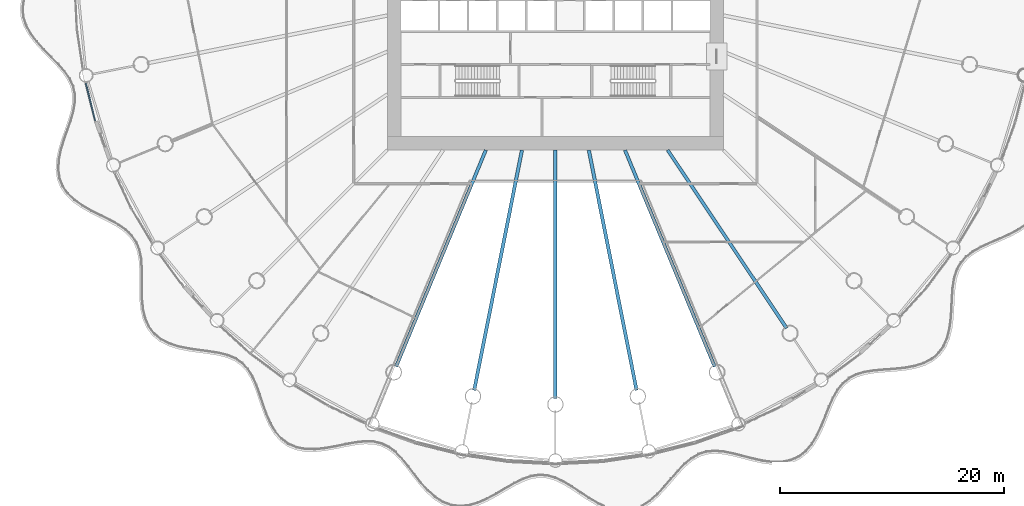
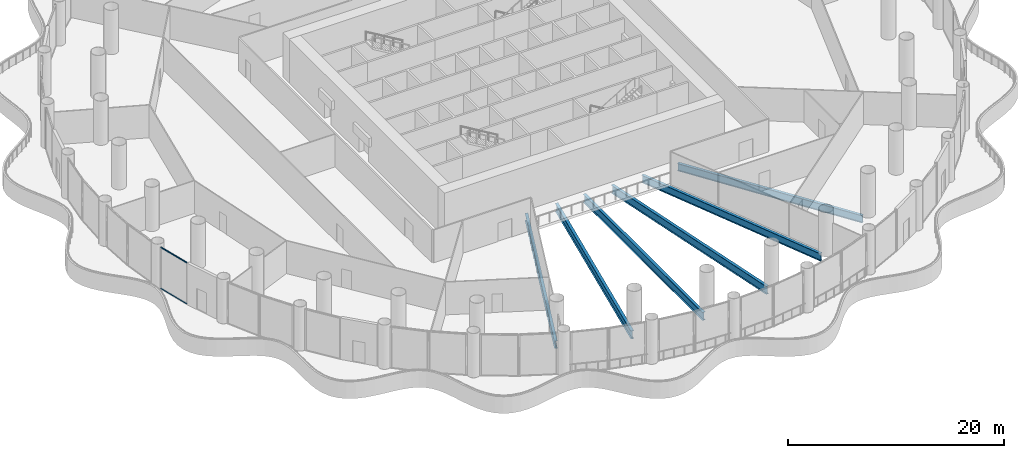
# One storey, part 6 of 36: 6 beams, 2 members, 1 element without a shape of its own.
"""IFC4 building model written with IfcOpenShell, lengths in metres."""

from ifc_helpers import new_model, si_unit, direction, frame, origin, origin_2d, place, context, subcontext, project, spatial, rectangle, i_section, extrude, material, material_profile, profile_set, type_object, element, aggregate, save


model = new_model("IFC4")

# Units and contexts
model_context = context("Model", 3, precision=1e-05, world=origin(), true_north=direction((0.0, 1.0)))
body_context = subcontext(model_context, "Body", "Model", "MODEL_VIEW")
ifc_project = project(units=[si_unit("LENGTHUNIT", "METRE"), si_unit("AREAUNIT", "SQUARE_METRE"), si_unit("VOLUMEUNIT", "CUBIC_METRE"), si_unit("PLANEANGLEUNIT", "RADIAN"), si_unit("MASSUNIT", "GRAM", prefix="KILO")], contexts=[model_context])

# Site, building, storey
site_placement = place(None, origin())
site = spatial("IfcSite", under=ifc_project, at=site_placement, CompositionType="ELEMENT")
building_placement = place(site_placement, origin())
building = spatial("IfcBuilding", under=site, at=building_placement, Name="Corvane Civic Tower", CompositionType="ELEMENT")
storey_placement = place(building_placement, frame((0.0, 0.0, 17.0)))
storey = spatial("IfcBuildingStorey", under=building, at=storey_placement, Name="L03", CompositionType="ELEMENT", Elevation=17.0)

# Beams
ifc_material_1 = material(Name="Steel ASTM A992 Gr 50", Category="steel")
ifc_material_profile_1 = material_profile(ifc_material_1, i_section(OverallWidth=0.2919921875, OverallDepth=0.845703125, WebThickness=0.015380859375, FlangeThickness=0.0244140625, at=origin_2d()), Name="W33X141")
ifc_profile_set_1 = profile_set([ifc_material_profile_1], Name="Steel ASTM A992 Gr 50")
beam_type_1 = type_object("IfcBeamType", Name="FLOOR GIRDER W33X141", PredefinedType="BEAM", material=ifc_profile_set_1)
beam_1_placement = place(storey_placement, frame((10.022705078125, -15.0, -0.722900390625), z_axis=(0.555566681385, -0.831471985418, 0.0), x_axis=(0.831471985418, 0.555566681385, 0.0)))
element("IfcBeam", 1, at=beam_1_placement, inside=storey, type_object=beam_type_1, Name="BM-L03-G14", PredefinedType="BEAM", context=body_context, shape_type="SweptSolid", body=[
    extrude(i_section(OverallWidth=0.2919921875, OverallDepth=0.845703125, WebThickness=0.015380859375, FlangeThickness=0.0244140625, at=origin_2d()), origin(), (0.0, 0.0, 1.0), 19.109619140625),
])
for number, where, z_axis, x_axis, name in (
    (2, (6.213134765625, -15.0, -0.722900390625), (0.382692360381, -0.923875834355, 0.0), (0.923875834355, 0.382692360381, 0.0), "BM-L03-G15"),
    (3, (-6.213134765625, -15.0, -0.722900390625), (-0.382692360381, -0.923875834355, 0.0), (0.923875834355, -0.382692360381, 0.0), "BM-L03-G19"),
):
    element("IfcBeam", number, at=place(storey_placement, frame(where, z_axis=z_axis, x_axis=x_axis)), inside=storey, type_object=beam_type_1, Name=name, PredefinedType="BEAM", context=body_context, shape_type="SweptSolid", body=[
        extrude(i_section(OverallWidth=0.2919921875, OverallDepth=0.845703125, WebThickness=0.015380859375, FlangeThickness=0.0244140625, at=origin_2d()), origin(), (0.0, 0.0, 1.0), 20.9140625),
    ])
ifc_material_2 = material(Name="Steel ASTM A992 Gr 50", Category="steel")
ifc_material_profile_2 = material_profile(ifc_material_2, i_section(OverallWidth=0.3046875, OverallDepth=0.911865234375, WebThickness=0.015869140625, FlangeThickness=0.02392578125, at=origin_2d()), Name="W36X150")
ifc_profile_set_2 = profile_set([ifc_material_profile_2], Name="Steel ASTM A992 Gr 50")
beam_type_2 = type_object("IfcBeamType", Name="FLOOR GIRDER W36X150", PredefinedType="BEAM", material=ifc_profile_set_2)
beam_2_placement = place(storey_placement, frame((2.983642578125, -15.0, -0.755859375), z_axis=(0.195089219638, -0.980785499679, 0.0), x_axis=(0.980785499679, 0.195089219638, 0.0)))
element("IfcBeam", 4, at=beam_2_placement, inside=storey, type_object=beam_type_2, Name="BM-L03-G16", PredefinedType="BEAM", context=body_context, shape_type="SweptSolid", body=[
    extrude(i_section(OverallWidth=0.3046875, OverallDepth=0.911865234375, WebThickness=0.015869140625, FlangeThickness=0.02392578125, at=origin_2d()), origin(), (0.0, 0.0, 1.0), 21.856201171875),
])
beam_3_placement = place(storey_placement, frame((0.0, -15.0, -0.755859375), z_axis=(0.0, -1.0, 0.0), x_axis=(1.0, 0.0, 0.0)))
element("IfcBeam", 5, at=beam_3_placement, inside=storey, type_object=beam_type_2, Name="BM-L03-G17", PredefinedType="BEAM", context=body_context, shape_type="SweptSolid", body=[
    extrude(i_section(OverallWidth=0.3046875, OverallDepth=0.911865234375, WebThickness=0.015869140625, FlangeThickness=0.02392578125, at=origin_2d()), origin(), (0.0, 0.0, 1.0), 22.14990234375),
])
beam_4_placement = place(storey_placement, frame((-2.983642578125, -15.0, -0.755859375), z_axis=(-0.195089219638, -0.980785499679, 0.0), x_axis=(0.980785499679, -0.195089219638, 0.0)))
element("IfcBeam", 6, at=beam_4_placement, inside=storey, type_object=beam_type_2, Name="BM-L03-G18", PredefinedType="BEAM", context=body_context, shape_type="SweptSolid", body=[
    extrude(i_section(OverallWidth=0.3046875, OverallDepth=0.911865234375, WebThickness=0.015869140625, FlangeThickness=0.02392578125, at=origin_2d()), origin(), (0.0, 0.0, 1.0), 21.856201171875),
])

# Curtain wall, members
ifc_material_3 = material(Name="Aluminium and glass", Category="aluminium")
curtain_wall_type = type_object("IfcCurtainWallType", Name="PODIUM-CW-P-RUN", PredefinedType="NOTDEFINED", material=ifc_material_3)
curtain_wall_placement = place(storey_placement, origin())
curtain_wall = element("IfcCurtainWall", 7, at=curtain_wall_placement, inside=storey, type_object=curtain_wall_type, Name="PODI run L03-drum-23B", PredefinedType="NOTDEFINED")
ifc_material_4 = material(Name="Anodised aluminium bronze", Category="aluminium")
ifc_material_profile_3 = material_profile(ifc_material_4, rectangle(XDim=0.1201171875, YDim=0.06005859375, at=origin_2d()), Name="AL 120x60")
ifc_profile_set_3 = profile_set([ifc_material_profile_3], Name="Anodised aluminium bronze")
member_type = type_object("IfcMemberType", Name="PODIUM-CWP-TRANSOM-60x120", PredefinedType="USERDEFINED", material=ifc_profile_set_3)
member_1_placement = place(storey_placement, frame((-41.08056640625, -12.3828125, 0.030029296875), z_axis=(-0.243017080124, 0.970022009425, 0.0), x_axis=(-0.970022009425, -0.243017080124, 0.0)))
member_1 = element("IfcMember", 8, at=member_1_placement, type_object=member_type, Name="CW-P transom 1.1", ObjectType="TRANSOM", PredefinedType="USERDEFINED", context=body_context, shape_type="SweptSolid", body=[
    extrude(rectangle(XDim=0.1201171875, YDim=0.06005859375, at=origin_2d()), origin(), (0.0, 0.0, 1.0), 3.4599609375),
])
member_2_placement = place(storey_placement, frame((-41.08056640625, -12.3828125, 4.669921875), z_axis=(-0.243017080124, 0.970022009425, 0.0), x_axis=(-0.970022009425, -0.243017080124, 0.0)))
member_2 = element("IfcMember", 9, at=member_2_placement, type_object=member_type, Name="CW-P transom 1.2", ObjectType="TRANSOM", PredefinedType="USERDEFINED", context=body_context, shape_type="SweptSolid", body=[
    extrude(rectangle(XDim=0.1201171875, YDim=0.06005859375, at=origin_2d()), origin(), (0.0, 0.0, 1.0), 3.4599609375),
])
aggregate(curtain_wall, [member_1, member_2])

save(model, "model.ifc")
